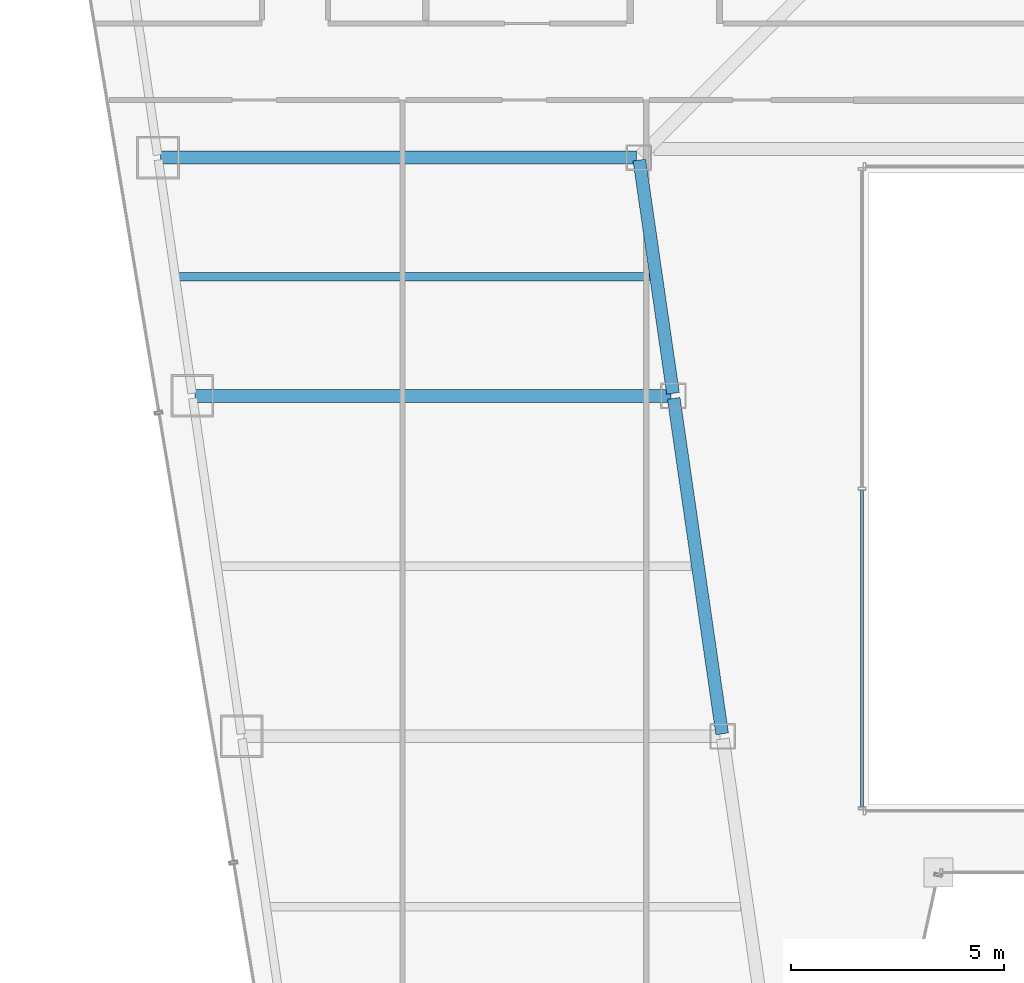
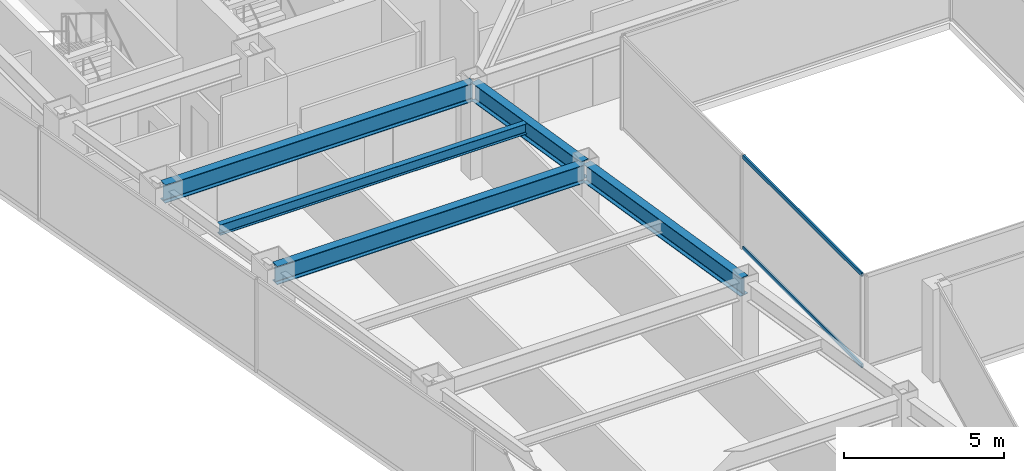
# One storey, part 10 of 38: 5 beams, 2 members, 1 element without a shape of its own.
"""IFC4 building model written with IfcOpenShell, lengths in metres."""

from ifc_helpers import new_model, si_unit, direction, frame, origin, origin_2d, place, context, subcontext, project, spatial, hollow_rectangle, i_section, extrude, material, material_profile, profile_set, type_object, element, aggregate, save


model = new_model("IFC4")

# Units and contexts
model_context = context("Model", 3, precision=1e-05, world=origin(), true_north=direction((0.0, 1.0)))
body_context = subcontext(model_context, "Body", "Model", "MODEL_VIEW")
ifc_project = project(units=[si_unit("LENGTHUNIT", "METRE"), si_unit("AREAUNIT", "SQUARE_METRE"), si_unit("VOLUMEUNIT", "CUBIC_METRE"), si_unit("PLANEANGLEUNIT", "RADIAN"), si_unit("MASSUNIT", "GRAM", prefix="KILO")], contexts=[model_context])

# Site, building, storey
site_placement = place(None, origin())
site = spatial("IfcSite", under=ifc_project, at=site_placement, CompositionType="ELEMENT")
building_placement = place(site_placement, origin())
building = spatial("IfcBuilding", under=site, at=building_placement, Name="Saevonmaru Cultural Tower", CompositionType="ELEMENT")
storey_placement = place(building_placement, frame((0.0, 0.0, 137.199951171875)))
storey = spatial("IfcBuildingStorey", under=building, at=storey_placement, Name="L29", CompositionType="ELEMENT", Elevation=137.199951171875)

# Beams
ifc_material_1 = material(Name="Steel SM355", Category="steel")
ifc_material_profile_1 = material_profile(ifc_material_1, i_section(OverallWidth=0.300048828125, OverallDepth=0.699951171875, WebThickness=0.012939453125, FlangeThickness=0.02392578125, FilletRadius=0.02587890625, at=origin_2d()), Name="H-700x300x13x24")
ifc_profile_set_1 = profile_set([ifc_material_profile_1], Name="Steel SM355")
beam_type_1 = type_object("IfcBeamType", Name="BM-G-H700", PredefinedType="BEAM", material=ifc_profile_set_1)
beam_1_placement = place(storey_placement, frame((20.763427734375, 24.059326171875, 3.199951171875), z_axis=(-0.142902032203, 0.989736838353, 0.0), x_axis=(-0.989736838353, -0.142902032203, 0.0)))
element("IfcBeam", 1, at=beam_1_placement, inside=storey, type_object=beam_type_1, Name="L29 West Atrium Girder 3", PredefinedType="BEAM", context=body_context, shape_type="SweptSolid", body=[
    extrude(i_section(OverallWidth=0.300048828125, OverallDepth=0.699951171875, WebThickness=0.012939453125, FlangeThickness=0.02392578125, FilletRadius=0.02587890625, at=origin_2d()), origin(), (0.0, 0.0, 1.0), 7.963134765625),
])
beam_2_placement = place(storey_placement, frame((19.6083984375, 32.059326171875, 3.199951171875), z_axis=(-0.142964121327, 0.989727871697, 0.0), x_axis=(-0.989727871697, -0.142964121327, 0.0)))
element("IfcBeam", 2, at=beam_2_placement, inside=storey, type_object=beam_type_1, Name="L29 West Atrium Girder 4", PredefinedType="BEAM", context=body_context, shape_type="SweptSolid", body=[
    extrude(i_section(OverallWidth=0.300048828125, OverallDepth=0.699951171875, WebThickness=0.012939453125, FlangeThickness=0.02392578125, FilletRadius=0.02587890625, at=origin_2d()), origin(), (0.0, 0.0, 1.0), 5.5380859375),
])
for number, where, z_axis, x_axis, name in (
    (3, (8.376953125, 32.0, 3.199951171875), (1.0, 0.0, 0.0), (0.0, 1.0, 0.0), "L29 West Wing Transverse Girder 4"),
    (4, (7.568115234375, 37.60009765625, 3.199951171875), (1.0, 0.0, 0.0), (0.0, 1.0, 0.0), "L29 West Wing Transverse Girder 5"),
):
    element("IfcBeam", number, at=place(storey_placement, frame(where, z_axis=z_axis, x_axis=x_axis)), inside=storey, type_object=beam_type_1, Name=name, PredefinedType="BEAM", context=body_context, shape_type="SweptSolid", body=[
        extrude(i_section(OverallWidth=0.300048828125, OverallDepth=0.699951171875, WebThickness=0.012939453125, FlangeThickness=0.02392578125, FilletRadius=0.02587890625, at=origin_2d()), origin(), (0.0, 0.0, 1.0), 11.179931640625),
    ])
ifc_material_profile_2 = material_profile(ifc_material_1, i_section(OverallWidth=0.199951171875, OverallDepth=0.39990234375, WebThickness=0.008056640625, FlangeThickness=0.012939453125, FilletRadius=0.01611328125, at=origin_2d()), Name="H-400x200x8x13")
ifc_profile_set_2 = profile_set([ifc_material_profile_2], Name="Steel SM355")
beam_type_2 = type_object("IfcBeamType", Name="BM-J-H400", PredefinedType="JOIST", material=ifc_profile_set_2)
beam_3_placement = place(storey_placement, frame((7.972412109375, 34.800048828125, 3.35009765625), z_axis=(1.0, 0.0, 0.0), x_axis=(0.0, 1.0, 0.0)))
element("IfcBeam", 5, at=beam_3_placement, inside=storey, type_object=beam_type_2, Name="L29 West Wing Floor Joist 4", PredefinedType="JOIST", context=body_context, shape_type="SweptSolid", body=[
    extrude(i_section(OverallWidth=0.199951171875, OverallDepth=0.39990234375, WebThickness=0.008056640625, FlangeThickness=0.012939453125, FilletRadius=0.01611328125, at=origin_2d()), origin(), (0.0, 0.0, 1.0), 11.08203125),
])

# Curtain wall, members
ifc_material_2 = material(Name="Satin Bronze Anodised Aluminium", Category="aluminium")
curtain_wall_type = type_object("IfcCurtainWallType", Name="CW-ATR-GLZ", PredefinedType="NOTDEFINED", material=ifc_material_2)
curtain_wall_placement = place(storey_placement, origin())
curtain_wall = element("IfcCurtainWall", 6, at=curtain_wall_placement, inside=storey, type_object=curtain_wall_type, Name="L29 Vertical Atrium Glazed Smoke Screen 4", PredefinedType="NOTDEFINED")
ifc_material_profile_3 = material_profile(ifc_material_2, hollow_rectangle(XDim=0.06494140625, YDim=0.14990234375, WallThickness=0.00390625, at=origin_2d()), Name="ALU-TRAN-150x65x4")
ifc_profile_set_3 = profile_set([ifc_material_profile_3], Name="Satin Bronze Anodised Aluminium")
member_type = type_object("IfcMemberType", Name="TR-CW-INT-150x65", PredefinedType="USERDEFINED", material=ifc_profile_set_3)
member_1_placement = place(storey_placement, frame((24.050048828125, 29.78759765625, 0.032470703125), z_axis=(0.0, -1.0, 0.0), x_axis=(1.0, 0.0, 0.0)))
member_1 = element("IfcMember", 7, at=member_1_placement, type_object=member_type, Name="CW-ATR-L29-4 transom 2.1", ObjectType="TRANSOM", PredefinedType="USERDEFINED", context=body_context, shape_type="SweptSolid", body=[
    extrude(hollow_rectangle(XDim=0.06494140625, YDim=0.14990234375, WallThickness=0.00390625, at=origin_2d()), origin(), (0.0, 0.0, 1.0), 7.445068359375),
])
member_2_placement = place(storey_placement, frame((24.050048828125, 29.78759765625, 3.517578125), z_axis=(0.0, -1.0, 0.0), x_axis=(1.0, 0.0, 0.0)))
member_2 = element("IfcMember", 8, at=member_2_placement, type_object=member_type, Name="CW-ATR-L29-4 transom 2.2", ObjectType="TRANSOM", PredefinedType="USERDEFINED", context=body_context, shape_type="SweptSolid", body=[
    extrude(hollow_rectangle(XDim=0.06494140625, YDim=0.14990234375, WallThickness=0.00390625, at=origin_2d()), origin(), (0.0, 0.0, 1.0), 7.445068359375),
])
aggregate(curtain_wall, [member_1, member_2])

save(model, "model.ifc")
